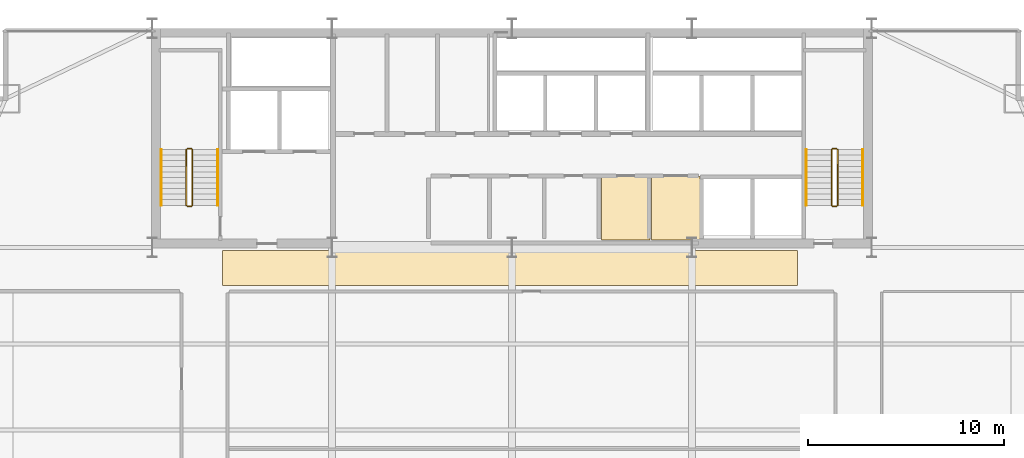
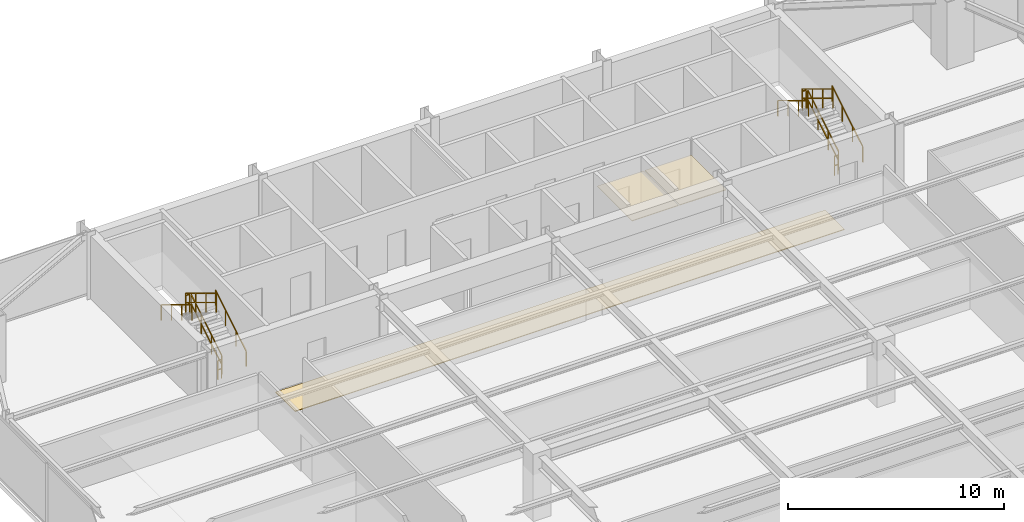
# One storey, part 34 of 34: 12 railings, 3 coverings.
"""IFC4 building model written with IfcOpenShell, lengths in metres."""

from ifc_helpers import new_model, si_unit, direction, frame, origin, origin_2d, place, context, subcontext, project, spatial, polyline, rectangle, outline, extrude, material, layer, layer_set, type_object, element, save


model = new_model("IFC4")

# Units and contexts
model_context = context("Model", 3, precision=1e-05, world=origin(), true_north=direction((0.0, 1.0)))
body_context = subcontext(model_context, "Body", "Model", "MODEL_VIEW")
ifc_project = project(units=[si_unit("LENGTHUNIT", "METRE"), si_unit("AREAUNIT", "SQUARE_METRE"), si_unit("VOLUMEUNIT", "CUBIC_METRE"), si_unit("PLANEANGLEUNIT", "RADIAN"), si_unit("MASSUNIT", "GRAM", prefix="KILO")], contexts=[model_context])

# Site, building, storey
site_placement = place(None, origin())
site = spatial("IfcSite", under=ifc_project, at=site_placement, CompositionType="ELEMENT")
building_placement = place(site_placement, origin())
building = spatial("IfcBuilding", under=site, at=building_placement, Name="Varnel Quay Broadcast Tower", CompositionType="ELEMENT")
storey_placement = place(building_placement, frame((0.0, 0.0, 110.60009765625)))
storey = spatial("IfcBuildingStorey", under=building, at=storey_placement, Name="L26", CompositionType="ELEMENT", Elevation=110.60009765625)

# Coverings
ifc_material_1 = material(Name="Micro-Perforated Acoustic Ceiling Tile")
ifc_layer_1 = layer(ifc_material_1, 0.0400390625, Name="Micro-Perforated Acoustic Ceiling Tile")
ifc_layer_set_1 = layer_set([ifc_layer_1], Name="Micro-Perforated Acoustic Ceiling Tile")
covering_type_1 = type_object("IfcCoveringType", Name="Cov_AcousticCeiling", PredefinedType="CEILING", material=ifc_layer_set_1)
covering_1_placement = place(storey_placement, frame((0.0, 0.0, 2.579833984375)))
element("IfcCovering", 1, at=covering_1_placement, inside=storey, type_object=covering_type_1, Name="L26 Cleaners' & Linen Store Acoustic Ceiling", PredefinedType="CEILING", context=body_context, shape_type="SweptSolid", body=[
    extrude(outline(polyline([(38.5849609375, 35.985107421875), (41.06494140625, 35.985107421875), (41.06494140625, 39.215087890625), (38.5849609375, 39.215087890625), (38.5849609375, 35.985107421875)])), origin(), (0.0, 0.0, 1.0), 0.0400390625),
])
covering_2_placement = place(storey_placement, frame((0.0, 0.0, 2.579833984375)))
element("IfcCovering", 2, at=covering_2_placement, inside=storey, type_object=covering_type_1, Name="L26 Telecom IDF Closet Acoustic Ceiling", PredefinedType="CEILING", context=body_context, shape_type="SweptSolid", body=[
    extrude(outline(polyline([(41.135009765625, 35.985107421875), (43.614990234375, 35.985107421875), (43.614990234375, 39.215087890625), (41.135009765625, 39.215087890625), (41.135009765625, 35.985107421875)])), origin(), (0.0, 0.0, 1.0), 0.0400390625),
])
ifc_material_2 = material(Name="Polished Terrazzo & Broadcast Raised Flooring")
ifc_layer_2 = layer(ifc_material_2, 0.0400390625, Name="Polished Terrazzo & Broadcast Raised Flooring")
ifc_layer_set_2 = layer_set([ifc_layer_2], Name="Polished Terrazzo & Broadcast Raised Flooring")
covering_type_2 = type_object("IfcCoveringType", Name="Cov_TerrazzoFloor", PredefinedType="FLOORING", material=ifc_layer_set_2)
covering_3_placement = place(storey_placement, origin())
element("IfcCovering", 3, at=covering_3_placement, inside=storey, type_object=covering_type_2, Name="L26 Corridor Terrazzo Flooring", PredefinedType="FLOORING", context=body_context, shape_type="SweptSolid", body=[
    extrude(outline(polyline([(19.199951171875, 33.64990234375), (48.60009765625, 33.64990234375), (48.60009765625, 35.449951171875), (19.199951171875, 35.449951171875), (19.199951171875, 33.64990234375)])), origin(), (0.0, 0.0, 1.0), 0.039794921875),
])

# Railings
ifc_material_3 = material(Name="Painted Steel Guard and Handrail CSA G40.21 350W", Category="steel")
railing_type_1 = type_object("IfcRailingType", Name="Rail_StairGuard1100", PredefinedType="GUARDRAIL", material=ifc_material_3)
railing_1_placement = place(storey_placement, frame((17.64990234375, 37.75, 0.172607421875)))
element("IfcRailing", 4, at=railing_1_placement, inside=storey, type_object=railing_type_1, Name="L26 ST-01 stair guard 1", PredefinedType="GUARDRAIL", context=body_context, shape_type="SweptSolid", body=[
    extrude(rectangle(XDim=0.048095703125, YDim=0.048095703125, at=origin_2d()), frame((0.0, 0.0, 1.076171875), z_axis=(0.0, 0.855202751398, 0.518293598264), x_axis=(-1.0, 0.0, 0.0)), (0.0, 0.0, 1.0), 3.332763671875),
    extrude(rectangle(XDim=0.048095703125, YDim=0.048095703125, at=origin_2d()), frame((0.0, 0.0, 0.550048828125), z_axis=(0.0, 0.855202751398, 0.518293598264), x_axis=(-1.0, 0.0, 0.0)), (0.0, 0.0, 1.0), 3.332763671875),
    extrude(rectangle(XDim=0.0419921875, YDim=0.0419921875, at=origin_2d()), origin(), (0.0, 0.0, 1.0), 1.052001953125),
    extrude(rectangle(XDim=0.0419921875, YDim=0.0419921875, at=origin_2d()), frame((0.0, 0.949951171875, 0.57568359375)), (0.0, 0.0, 1.0), 1.052001953125),
    extrude(rectangle(XDim=0.0419921875, YDim=0.0419921875, at=origin_2d()), frame((0.0, 1.900146484375, 1.151611328125)), (0.0, 0.0, 1.0), 1.052001953125),
    extrude(rectangle(XDim=0.0419921875, YDim=0.0419921875, at=origin_2d()), frame((0.0, 2.85009765625, 1.727294921875)), (0.0, 0.0, 1.0), 1.052001953125),
])
railing_2_placement = place(storey_placement, frame((17.60009765625, 40.64990234375, 1.89990234375)))
element("IfcRailing", 5, at=railing_2_placement, inside=storey, type_object=railing_type_1, Name="L26 ST-01 stair guard 2", PredefinedType="GUARDRAIL", context=body_context, shape_type="SweptSolid", body=[
    extrude(rectangle(XDim=0.048095703125, YDim=0.048095703125, at=origin_2d()), frame((0.0, 0.0, 1.076171875), z_axis=(-1.0, 0.0, 0.0), x_axis=(0.0, -1.0, 0.0)), (0.0, 0.0, 1.0), 0.2001953125),
    extrude(rectangle(XDim=0.048095703125, YDim=0.048095703125, at=origin_2d()), frame((0.0, 0.0, 0.550048828125), z_axis=(-1.0, 0.0, 0.0), x_axis=(0.0, -1.0, 0.0)), (0.0, 0.0, 1.0), 0.2001953125),
    extrude(rectangle(XDim=0.0419921875, YDim=0.0419921875, at=origin_2d()), origin(), (0.0, 0.0, 1.0), 1.052001953125),
    extrude(rectangle(XDim=0.0419921875, YDim=0.0419921875, at=origin_2d()), frame((-0.2001953125, 0.0, 0.0)), (0.0, 0.0, 1.0), 1.052001953125),
])
railing_3_placement = place(storey_placement, frame((17.35009765625, 40.60009765625, 2.072509765625)))
element("IfcRailing", 6, at=railing_3_placement, inside=storey, type_object=railing_type_1, Name="L26 ST-01 stair guard 3", PredefinedType="GUARDRAIL", context=body_context, shape_type="SweptSolid", body=[
    extrude(rectangle(XDim=0.048095703125, YDim=0.048095703125, at=origin_2d()), frame((0.0, 0.0, 1.076171875), z_axis=(0.0, -0.855202751398, 0.518293598264), x_axis=(1.0, 0.0, 0.0)), (0.0, 0.0, 1.0), 3.332763671875),
    extrude(rectangle(XDim=0.048095703125, YDim=0.048095703125, at=origin_2d()), frame((0.0, 0.0, 0.550048828125), z_axis=(0.0, -0.855202751398, 0.518293598264), x_axis=(1.0, 0.0, 0.0)), (0.0, 0.0, 1.0), 3.332763671875),
    extrude(rectangle(XDim=0.0419921875, YDim=0.0419921875, at=origin_2d()), origin(), (0.0, 0.0, 1.0), 1.052001953125),
    extrude(rectangle(XDim=0.0419921875, YDim=0.0419921875, at=origin_2d()), frame((0.0, -0.949951171875, 0.57568359375)), (0.0, 0.0, 1.0), 1.052001953125),
    extrude(rectangle(XDim=0.0419921875, YDim=0.0419921875, at=origin_2d()), frame((0.0, -1.900146484375, 1.151611328125)), (0.0, 0.0, 1.0), 1.052001953125),
    extrude(rectangle(XDim=0.0419921875, YDim=0.0419921875, at=origin_2d()), frame((0.0, -2.85009765625, 1.727294921875)), (0.0, 0.0, 1.0), 1.052001953125),
])
railing_4_placement = place(storey_placement, frame((17.60009765625, 37.699951171875, 0.0)))
element("IfcRailing", 7, at=railing_4_placement, inside=storey, type_object=railing_type_1, Name="L26 ST-01 stair guard 4", PredefinedType="GUARDRAIL", context=body_context, shape_type="SweptSolid", body=[
    extrude(rectangle(XDim=0.048095703125, YDim=0.048095703125, at=origin_2d()), frame((0.0, 0.0, 1.076171875), z_axis=(-1.0, 0.0, 0.0), x_axis=(0.0, -1.0, 0.0)), (0.0, 0.0, 1.0), 0.2001953125),
    extrude(rectangle(XDim=0.048095703125, YDim=0.048095703125, at=origin_2d()), frame((0.0, 0.0, 0.550048828125), z_axis=(-1.0, 0.0, 0.0), x_axis=(0.0, -1.0, 0.0)), (0.0, 0.0, 1.0), 0.2001953125),
    extrude(rectangle(XDim=0.0419921875, YDim=0.0419921875, at=origin_2d()), origin(), (0.0, 0.0, 1.0), 1.052001953125),
    extrude(rectangle(XDim=0.0419921875, YDim=0.0419921875, at=origin_2d()), frame((-0.2001953125, 0.0, 0.0)), (0.0, 0.0, 1.0), 1.052001953125),
])
railing_5_placement = place(storey_placement, frame((50.64990234375, 37.75, 0.172607421875)))
element("IfcRailing", 8, at=railing_5_placement, inside=storey, type_object=railing_type_1, Name="L26 ST-02 stair guard 1", PredefinedType="GUARDRAIL", context=body_context, shape_type="SweptSolid", body=[
    extrude(rectangle(XDim=0.048095703125, YDim=0.048095703125, at=origin_2d()), frame((0.0, 0.0, 1.076171875), z_axis=(0.0, 0.855202751398, 0.518293598264), x_axis=(-1.0, 0.0, 0.0)), (0.0, 0.0, 1.0), 3.332763671875),
    extrude(rectangle(XDim=0.048095703125, YDim=0.048095703125, at=origin_2d()), frame((0.0, 0.0, 0.550048828125), z_axis=(0.0, 0.855202751398, 0.518293598264), x_axis=(-1.0, 0.0, 0.0)), (0.0, 0.0, 1.0), 3.332763671875),
    extrude(rectangle(XDim=0.0419921875, YDim=0.0419921875, at=origin_2d()), origin(), (0.0, 0.0, 1.0), 1.052001953125),
    extrude(rectangle(XDim=0.0419921875, YDim=0.0419921875, at=origin_2d()), frame((0.0, 0.949951171875, 0.57568359375)), (0.0, 0.0, 1.0), 1.052001953125),
    extrude(rectangle(XDim=0.0419921875, YDim=0.0419921875, at=origin_2d()), frame((0.0, 1.900146484375, 1.151611328125)), (0.0, 0.0, 1.0), 1.052001953125),
    extrude(rectangle(XDim=0.0419921875, YDim=0.0419921875, at=origin_2d()), frame((0.0, 2.85009765625, 1.727294921875)), (0.0, 0.0, 1.0), 1.052001953125),
])
railing_6_placement = place(storey_placement, frame((50.60009765625, 40.64990234375, 1.89990234375)))
element("IfcRailing", 9, at=railing_6_placement, inside=storey, type_object=railing_type_1, Name="L26 ST-02 stair guard 2", PredefinedType="GUARDRAIL", context=body_context, shape_type="SweptSolid", body=[
    extrude(rectangle(XDim=0.048095703125, YDim=0.048095703125, at=origin_2d()), frame((0.0, 0.0, 1.076171875), z_axis=(-1.0, 0.0, 0.0), x_axis=(0.0, -1.0, 0.0)), (0.0, 0.0, 1.0), 0.2001953125),
    extrude(rectangle(XDim=0.048095703125, YDim=0.048095703125, at=origin_2d()), frame((0.0, 0.0, 0.550048828125), z_axis=(-1.0, 0.0, 0.0), x_axis=(0.0, -1.0, 0.0)), (0.0, 0.0, 1.0), 0.2001953125),
    extrude(rectangle(XDim=0.0419921875, YDim=0.0419921875, at=origin_2d()), origin(), (0.0, 0.0, 1.0), 1.052001953125),
    extrude(rectangle(XDim=0.0419921875, YDim=0.0419921875, at=origin_2d()), frame((-0.2001953125, 0.0, 0.0)), (0.0, 0.0, 1.0), 1.052001953125),
])
railing_7_placement = place(storey_placement, frame((50.35009765625, 40.60009765625, 2.072509765625)))
element("IfcRailing", 10, at=railing_7_placement, inside=storey, type_object=railing_type_1, Name="L26 ST-02 stair guard 3", PredefinedType="GUARDRAIL", context=body_context, shape_type="SweptSolid", body=[
    extrude(rectangle(XDim=0.048095703125, YDim=0.048095703125, at=origin_2d()), frame((0.0, 0.0, 1.076171875), z_axis=(0.0, -0.855202751398, 0.518293598264), x_axis=(1.0, 0.0, 0.0)), (0.0, 0.0, 1.0), 3.332763671875),
    extrude(rectangle(XDim=0.048095703125, YDim=0.048095703125, at=origin_2d()), frame((0.0, 0.0, 0.550048828125), z_axis=(0.0, -0.855202751398, 0.518293598264), x_axis=(1.0, 0.0, 0.0)), (0.0, 0.0, 1.0), 3.332763671875),
    extrude(rectangle(XDim=0.0419921875, YDim=0.0419921875, at=origin_2d()), origin(), (0.0, 0.0, 1.0), 1.052001953125),
    extrude(rectangle(XDim=0.0419921875, YDim=0.0419921875, at=origin_2d()), frame((0.0, -0.949951171875, 0.57568359375)), (0.0, 0.0, 1.0), 1.052001953125),
    extrude(rectangle(XDim=0.0419921875, YDim=0.0419921875, at=origin_2d()), frame((0.0, -1.900146484375, 1.151611328125)), (0.0, 0.0, 1.0), 1.052001953125),
    extrude(rectangle(XDim=0.0419921875, YDim=0.0419921875, at=origin_2d()), frame((0.0, -2.85009765625, 1.727294921875)), (0.0, 0.0, 1.0), 1.052001953125),
])
railing_8_placement = place(storey_placement, frame((50.60009765625, 37.699951171875, 0.0)))
element("IfcRailing", 11, at=railing_8_placement, inside=storey, type_object=railing_type_1, Name="L26 ST-02 stair guard 4", PredefinedType="GUARDRAIL", context=body_context, shape_type="SweptSolid", body=[
    extrude(rectangle(XDim=0.048095703125, YDim=0.048095703125, at=origin_2d()), frame((0.0, 0.0, 1.076171875), z_axis=(-1.0, 0.0, 0.0), x_axis=(0.0, -1.0, 0.0)), (0.0, 0.0, 1.0), 0.2001953125),
    extrude(rectangle(XDim=0.048095703125, YDim=0.048095703125, at=origin_2d()), frame((0.0, 0.0, 0.550048828125), z_axis=(-1.0, 0.0, 0.0), x_axis=(0.0, -1.0, 0.0)), (0.0, 0.0, 1.0), 0.2001953125),
    extrude(rectangle(XDim=0.0419921875, YDim=0.0419921875, at=origin_2d()), origin(), (0.0, 0.0, 1.0), 1.052001953125),
    extrude(rectangle(XDim=0.0419921875, YDim=0.0419921875, at=origin_2d()), frame((-0.2001953125, 0.0, 0.0)), (0.0, 0.0, 1.0), 1.052001953125),
])
railing_type_2 = type_object("IfcRailingType", Name="Rail_StairHandrail900", PredefinedType="HANDRAIL", material=ifc_material_3)
railing_9_placement = place(storey_placement, frame((18.949951171875, 37.75, 0.172607421875)))
element("IfcRailing", 12, at=railing_9_placement, inside=storey, type_object=railing_type_2, Name="L26 ST-01 stair handrail 1", PredefinedType="HANDRAIL", context=body_context, shape_type="SweptSolid", body=[
    extrude(rectangle(XDim=0.048095703125, YDim=0.048095703125, at=origin_2d()), frame((0.0, 0.0, 0.8759765625), z_axis=(0.0, 0.855202751398, 0.518293598264), x_axis=(-1.0, 0.0, 0.0)), (0.0, 0.0, 1.0), 3.332763671875),
    extrude(rectangle(XDim=0.0419921875, YDim=0.0419921875, at=origin_2d()), origin(), (0.0, 0.0, 1.0), 0.851806640625),
    extrude(rectangle(XDim=0.0419921875, YDim=0.0419921875, at=origin_2d()), frame((0.0, 0.949951171875, 0.57568359375)), (0.0, 0.0, 1.0), 0.851806640625),
    extrude(rectangle(XDim=0.0419921875, YDim=0.0419921875, at=origin_2d()), frame((0.0, 1.900146484375, 1.151611328125)), (0.0, 0.0, 1.0), 0.851806640625),
    extrude(rectangle(XDim=0.0419921875, YDim=0.0419921875, at=origin_2d()), frame((0.0, 2.85009765625, 1.727294921875)), (0.0, 0.0, 1.0), 0.851806640625),
])
railing_10_placement = place(storey_placement, frame((16.050048828125, 40.60009765625, 2.072509765625)))
element("IfcRailing", 13, at=railing_10_placement, inside=storey, type_object=railing_type_2, Name="L26 ST-01 stair handrail 2", PredefinedType="HANDRAIL", context=body_context, shape_type="SweptSolid", body=[
    extrude(rectangle(XDim=0.048095703125, YDim=0.048095703125, at=origin_2d()), frame((0.0, 0.0, 0.8759765625), z_axis=(0.0, -0.855202751398, 0.518293598264), x_axis=(1.0, 0.0, 0.0)), (0.0, 0.0, 1.0), 3.332763671875),
    extrude(rectangle(XDim=0.0419921875, YDim=0.0419921875, at=origin_2d()), origin(), (0.0, 0.0, 1.0), 0.851806640625),
    extrude(rectangle(XDim=0.0419921875, YDim=0.0419921875, at=origin_2d()), frame((0.0, -0.949951171875, 0.57568359375)), (0.0, 0.0, 1.0), 0.851806640625),
    extrude(rectangle(XDim=0.0419921875, YDim=0.0419921875, at=origin_2d()), frame((0.0, -1.900146484375, 1.151611328125)), (0.0, 0.0, 1.0), 0.851806640625),
    extrude(rectangle(XDim=0.0419921875, YDim=0.0419921875, at=origin_2d()), frame((0.0, -2.85009765625, 1.727294921875)), (0.0, 0.0, 1.0), 0.851806640625),
])
railing_11_placement = place(storey_placement, frame((51.949951171875, 37.75, 0.172607421875)))
element("IfcRailing", 14, at=railing_11_placement, inside=storey, type_object=railing_type_2, Name="L26 ST-02 stair handrail 1", PredefinedType="HANDRAIL", context=body_context, shape_type="SweptSolid", body=[
    extrude(rectangle(XDim=0.048095703125, YDim=0.048095703125, at=origin_2d()), frame((0.0, 0.0, 0.8759765625), z_axis=(0.0, 0.855202751398, 0.518293598264), x_axis=(-1.0, 0.0, 0.0)), (0.0, 0.0, 1.0), 3.332763671875),
    extrude(rectangle(XDim=0.0419921875, YDim=0.0419921875, at=origin_2d()), origin(), (0.0, 0.0, 1.0), 0.851806640625),
    extrude(rectangle(XDim=0.0419921875, YDim=0.0419921875, at=origin_2d()), frame((0.0, 0.949951171875, 0.57568359375)), (0.0, 0.0, 1.0), 0.851806640625),
    extrude(rectangle(XDim=0.0419921875, YDim=0.0419921875, at=origin_2d()), frame((0.0, 1.900146484375, 1.151611328125)), (0.0, 0.0, 1.0), 0.851806640625),
    extrude(rectangle(XDim=0.0419921875, YDim=0.0419921875, at=origin_2d()), frame((0.0, 2.85009765625, 1.727294921875)), (0.0, 0.0, 1.0), 0.851806640625),
])
railing_12_placement = place(storey_placement, frame((49.050048828125, 40.60009765625, 2.072509765625)))
element("IfcRailing", 15, at=railing_12_placement, inside=storey, type_object=railing_type_2, Name="L26 ST-02 stair handrail 2", PredefinedType="HANDRAIL", context=body_context, shape_type="SweptSolid", body=[
    extrude(rectangle(XDim=0.048095703125, YDim=0.048095703125, at=origin_2d()), frame((0.0, 0.0, 0.8759765625), z_axis=(0.0, -0.855202751398, 0.518293598264), x_axis=(1.0, 0.0, 0.0)), (0.0, 0.0, 1.0), 3.332763671875),
    extrude(rectangle(XDim=0.0419921875, YDim=0.0419921875, at=origin_2d()), origin(), (0.0, 0.0, 1.0), 0.851806640625),
    extrude(rectangle(XDim=0.0419921875, YDim=0.0419921875, at=origin_2d()), frame((0.0, -0.949951171875, 0.57568359375)), (0.0, 0.0, 1.0), 0.851806640625),
    extrude(rectangle(XDim=0.0419921875, YDim=0.0419921875, at=origin_2d()), frame((0.0, -1.900146484375, 1.151611328125)), (0.0, 0.0, 1.0), 0.851806640625),
    extrude(rectangle(XDim=0.0419921875, YDim=0.0419921875, at=origin_2d()), frame((0.0, -2.85009765625, 1.727294921875)), (0.0, 0.0, 1.0), 0.851806640625),
])

save(model, "model.ifc")
